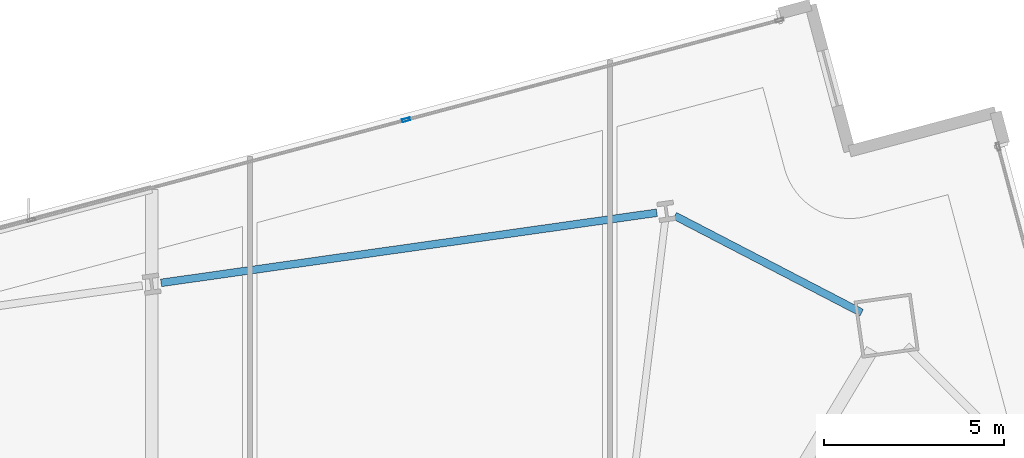
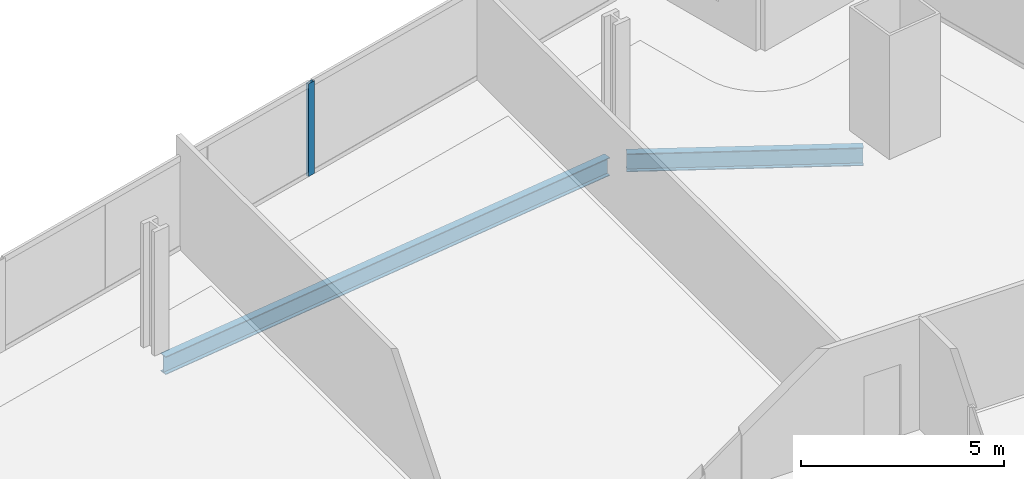
# One storey, part 21 of 33: 2 beams, 1 member, 1 element without a shape of its own.
"""IFC4 building model written with IfcOpenShell, lengths in metres."""

from ifc_helpers import new_model, si_unit, direction, frame, origin, origin_2d, place, context, subcontext, project, spatial, hollow_rectangle, i_section, extrude, material, material_profile, profile_set, type_object, element, aggregate, save


model = new_model("IFC4")

# Units and contexts
model_context = context("Model", 3, precision=1e-05, world=origin(), true_north=direction((0.0, 1.0)))
body_context = subcontext(model_context, "Body", "Model", "MODEL_VIEW")
ifc_project = project(units=[si_unit("LENGTHUNIT", "METRE"), si_unit("AREAUNIT", "SQUARE_METRE"), si_unit("VOLUMEUNIT", "CUBIC_METRE"), si_unit("PLANEANGLEUNIT", "RADIAN"), si_unit("MASSUNIT", "GRAM", prefix="KILO")], contexts=[model_context])

# Site, building, storey
site_placement = place(None, origin())
site = spatial("IfcSite", under=ifc_project, at=site_placement, CompositionType="ELEMENT")
building_placement = place(site_placement, origin())
building = spatial("IfcBuilding", under=site, at=building_placement, Name="Haldenkirk Collegiate Tower", CompositionType="ELEMENT")
storey_placement = place(building_placement, frame((0.0, 0.0, 77.699951171875)))
storey = spatial("IfcBuildingStorey", under=building, at=storey_placement, Name="L18", CompositionType="ELEMENT", Elevation=77.699951171875)

# Beams
ifc_material_1 = material(Name="Steel ASTM A992 Grade 50", Category="steel")
ifc_material_profile_1 = material_profile(ifc_material_1, i_section(OverallWidth=0.2119140625, OverallDepth=0.5439453125, WebThickness=0.01318359375, FlangeThickness=0.021240234375, at=origin_2d()), Name="W21X83")
ifc_profile_set_1 = profile_set([ifc_material_profile_1], Name="Steel ASTM A992 Grade 50")
beam_type = type_object("IfcBeamType", Name="BM-SPANDREL-W21X83", PredefinedType="SPANDREL", material=ifc_profile_set_1)
beam_1_placement = place(storey_placement, frame((52.4921875, 48.029296875, -0.58203125), z_axis=(-0.887648364794, 0.460521856678, 0.0), x_axis=(-0.460521856678, -0.887648364794, 0.0)))
element("IfcBeam", 1, at=beam_1_placement, inside=storey, type_object=beam_type, Name="L18 perimeter spandrel beam 09", PredefinedType="SPANDREL", context=body_context, shape_type="SweptSolid", body=[
    extrude(i_section(OverallWidth=0.2119140625, OverallDepth=0.5439453125, WebThickness=0.01318359375, FlangeThickness=0.021240234375, at=origin_2d()), origin(), (0.0, 0.0, 1.0), 5.848388671875),
])
beam_2_placement = place(storey_placement, frame((46.803955078125, 50.807373046875, -0.58203125), z_axis=(-0.990146197746, -0.14003752029, 0.0), x_axis=(0.14003752029, -0.990146197746, 0.0)))
element("IfcBeam", 2, at=beam_2_placement, inside=storey, type_object=beam_type, Name="L18 perimeter spandrel beam 10", PredefinedType="SPANDREL", context=body_context, shape_type="SweptSolid", body=[
    extrude(i_section(OverallWidth=0.2119140625, OverallDepth=0.5439453125, WebThickness=0.01318359375, FlangeThickness=0.021240234375, at=origin_2d()), origin(), (0.0, 0.0, 1.0), 13.906982421875),
])

# Curtain wall, member
ifc_material_2 = material(Name="Anodised architectural bronze aluminium", Category="aluminium")
curtain_wall_type = type_object("IfcCurtainWallType", Name="CW-SYS1-CONVEX-LOW", PredefinedType="USERDEFINED", material=ifc_material_2)
curtain_wall_placement = place(storey_placement, origin())
curtain_wall = element("IfcCurtainWall", 3, at=curtain_wall_placement, inside=storey, type_object=curtain_wall_type, Name="L18 Lower tower convex bronze-framed unitised curtain wall", ObjectType="UNITISED CURTAIN WALL", PredefinedType="USERDEFINED")
ifc_material_profile_2 = material_profile(ifc_material_2, hollow_rectangle(XDim=0.080078125, YDim=0.219970703125, WallThickness=0.0048828125, at=origin_2d()), Name="CW-MUL-1A")
ifc_profile_set_2 = profile_set([ifc_material_profile_2], Name="Anodised architectural bronze aluminium")
member_type = type_object("IfcMemberType", Name="CW-MUL-1A", PredefinedType="MULLION", material=ifc_profile_set_2)
member_placement = place(storey_placement, frame((39.839599609375, 53.387451171875, 0.0), z_axis=(0.0, 0.0, 1.0), x_axis=(-0.257974128891, 0.966151824934, 0.0)))
member = element("IfcMember", 4, at=member_placement, type_object=member_type, Name="CW-1A mullion 4", PredefinedType="MULLION", context=body_context, shape_type="SweptSolid", body=[
    extrude(hollow_rectangle(XDim=0.080078125, YDim=0.219970703125, WallThickness=0.0048828125, at=origin_2d()), origin(), (0.0, 0.0, 1.0), 2.791015625),
])
aggregate(curtain_wall, [member])

save(model, "model.ifc")
